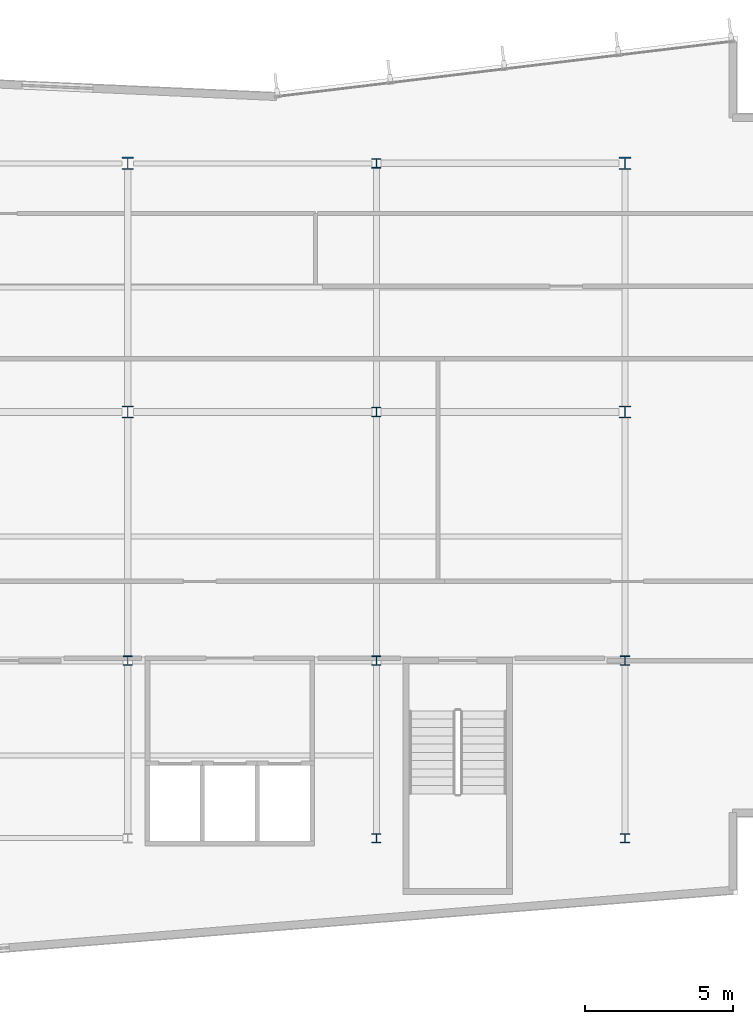
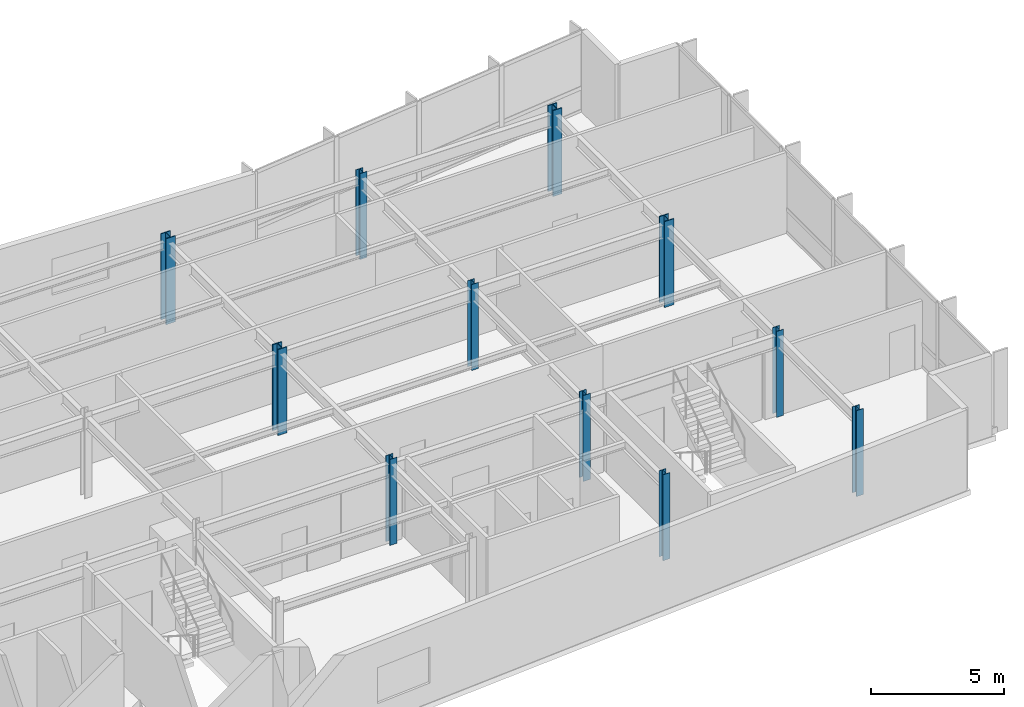
# One storey, part 2 of 16: 11 columns.
"""IFC4 building model written with IfcOpenShell, lengths in metres."""

from ifc_helpers import new_model, si_unit, direction, frame, origin, origin_2d, place, context, subcontext, project, spatial, i_section, extrude, material, material_profile, profile_set, type_object, element, save


model = new_model("IFC4")

# Units and contexts
model_context = context("Model", 3, precision=1e-05, world=origin(), true_north=direction((0.0, 1.0)))
body_context = subcontext(model_context, "Body", "Model", "MODEL_VIEW")
ifc_project = project(units=[si_unit("LENGTHUNIT", "METRE"), si_unit("AREAUNIT", "SQUARE_METRE"), si_unit("VOLUMEUNIT", "CUBIC_METRE"), si_unit("PLANEANGLEUNIT", "RADIAN"), si_unit("MASSUNIT", "GRAM", prefix="KILO")], contexts=[model_context])

# Site, building, storey
site_placement = place(None, origin())
site = spatial("IfcSite", under=ifc_project, at=site_placement, CompositionType="ELEMENT")
building_placement = place(site_placement, origin())
building = spatial("IfcBuilding", under=site, at=building_placement, Name="Varnakote Quay Hospital", CompositionType="ELEMENT")
storey_placement = place(building_placement, frame((0.0, 0.0, 166.550048828125)))
storey = spatial("IfcBuildingStorey", under=building, at=storey_placement, Name="L41", CompositionType="ELEMENT", Elevation=166.550048828125)

# Columns
ifc_material_1 = material(Name="Structural steel AS/NZS 3679.1 Grade 350 L0 (fy 340 MPa)", Category="steel")
ifc_material_profile_1 = material_profile(ifc_material_1, i_section(OverallWidth=0.306884765625, OverallDepth=0.31494140625, WebThickness=0.011962890625, FlangeThickness=0.018798828125, FilletRadius=0.0166015625, at=origin_2d()), Name="310UC118")
ifc_profile_set_1 = profile_set([ifc_material_profile_1], Name="Structural steel AS/NZS 3679.1 Grade 350 L0 (fy 340 MPa)")
column_type_1 = type_object("IfcColumnType", Name="COL-STL-310UC118", PredefinedType="COLUMN", material=ifc_profile_set_1)
for number, where, z_axis, x_axis, name in (
    (1, (42.0, 6.0, 0.0), (0.0, 0.0, 1.0), (1.0, 0.0, 0.0), "L41 Structural Column C-42-6"),
    (2, (50.39990234375, 6.0, 0.0), (0.0, 0.0, 1.0), (1.0, 0.0, 0.0), "L41 Structural Column C-50-6"),
    (3, (33.60009765625, 12.0, 0.0), (0.0, 0.0, 1.0), (1.0, 0.0, 0.0), "L41 Structural Column C-34-12"),
    (4, (42.0, 12.0, 0.0), (0.0, 0.0, 1.0), (1.0, 0.0, 0.0), "L41 Structural Column C-42-12"),
    (5, (50.39990234375, 12.0, 0.0), (0.0, 0.0, 1.0), (1.0, 0.0, 0.0), "L41 Structural Column C-50-12"),
    (6, (42.0, 20.39990234375, 0.0), (0.0, 0.0, 1.0), (1.0, 0.0, 0.0), "L41 Structural Column C-42-20"),
    (7, (42.0, 28.800048828125, 0.0), (0.0, 0.0, 1.0), (1.0, 0.0, 0.0), "L41 Structural Column C-42-29"),
):
    element("IfcColumn", number, at=place(storey_placement, frame(where, z_axis=z_axis, x_axis=x_axis)), inside=storey, type_object=column_type_1, Name=name, PredefinedType="COLUMN", context=body_context, shape_type="SweptSolid", body=[
        extrude(i_section(OverallWidth=0.306884765625, OverallDepth=0.31494140625, WebThickness=0.011962890625, FlangeThickness=0.018798828125, FilletRadius=0.0166015625, at=origin_2d()), origin(), (0.0, 0.0, 1.0), 3.949951171875),
    ])
ifc_material_2 = material(Name="Structural steel AS/NZS 3678 Grade 350 (fy 340 MPa)", Category="steel")
ifc_material_profile_2 = material_profile(ifc_material_2, i_section(OverallWidth=0.39990234375, OverallDepth=0.419921875, WebThickness=0.02490234375, FlangeThickness=0.0400390625, at=origin_2d()), Name="400WC328")
ifc_profile_set_2 = profile_set([ifc_material_profile_2], Name="Structural steel AS/NZS 3678 Grade 350 (fy 340 MPa)")
column_type_2 = type_object("IfcColumnType", Name="COL-STL-400WC328", PredefinedType="COLUMN", material=ifc_profile_set_2)
for number, where, z_axis, x_axis, name in (
    (8, (33.60009765625, 20.39990234375, 0.0), (0.0, 0.0, 1.0), (1.0, 0.0, 0.0), "L41 Structural Column C-34-20"),
    (9, (50.39990234375, 20.39990234375, 0.0), (0.0, 0.0, 1.0), (1.0, 0.0, 0.0), "L41 Structural Column C-50-20"),
    (10, (33.60009765625, 28.800048828125, 0.0), (0.0, 0.0, 1.0), (1.0, 0.0, 0.0), "L41 Structural Column C-34-29"),
    (11, (50.39990234375, 28.800048828125, 0.0), (0.0, 0.0, 1.0), (1.0, 0.0, 0.0), "L41 Structural Column C-50-29"),
):
    element("IfcColumn", number, at=place(storey_placement, frame(where, z_axis=z_axis, x_axis=x_axis)), inside=storey, type_object=column_type_2, Name=name, PredefinedType="COLUMN", context=body_context, shape_type="SweptSolid", body=[
        extrude(i_section(OverallWidth=0.39990234375, OverallDepth=0.419921875, WebThickness=0.02490234375, FlangeThickness=0.0400390625, at=origin_2d()), origin(), (0.0, 0.0, 1.0), 3.949951171875),
    ])

save(model, "model.ifc")
